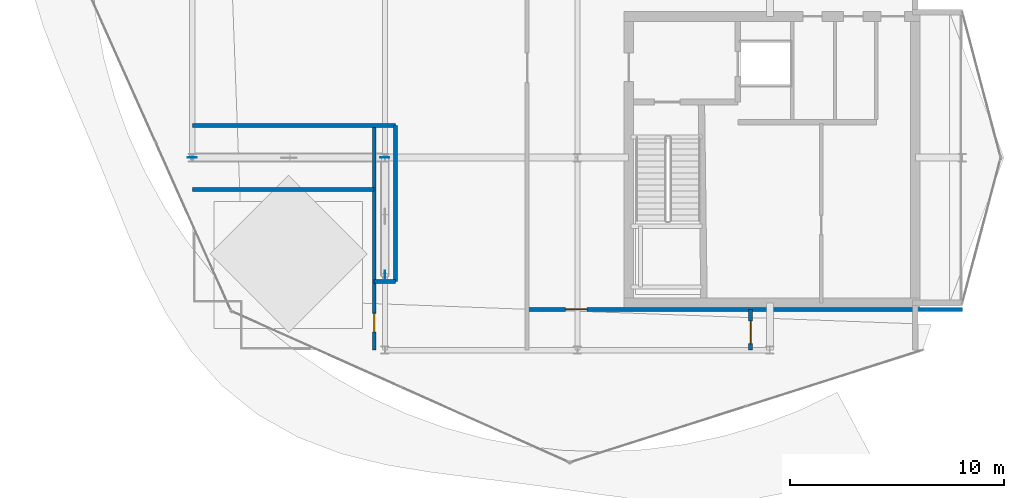
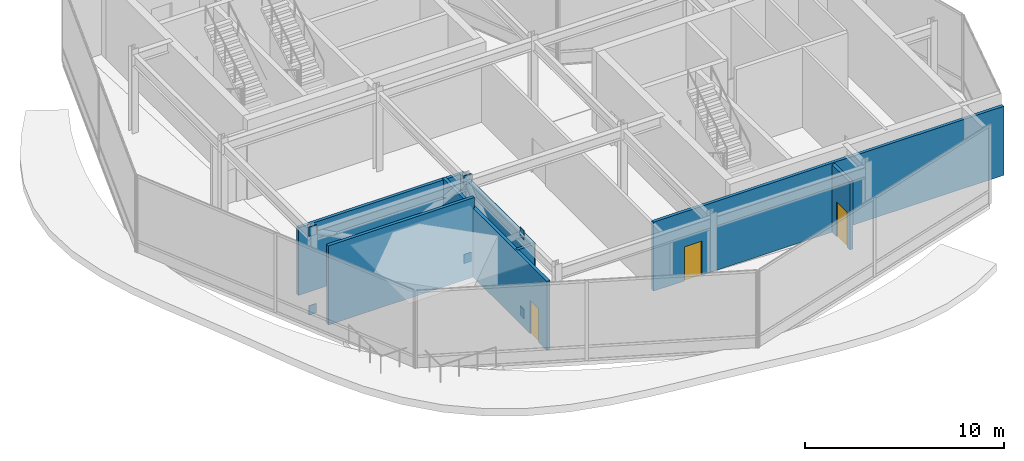
# One storey, part 16 of 21: 7 walls, 6 plates, 3 doors, 3 openings.
"""IFC4 building model written with IfcOpenShell, lengths in metres."""

import ifcopenshell
import ifcopenshell.guid

model = None  # the IFC model being written
_history = None  # IfcOwnerHistory: only IFC2X3 demands one
_inside = {}  # id of a spatial element -> (the spatial element, [elements in it])
_under = {}  # id of a project, library or spatial element -> (it, [spatial elements below it])
_declared = {}  # id of a project -> (the project, [libraries it declares])
_typed = {}  # id of a type object -> (the type object, [elements of that type])
_made_of = {}  # id of a material, layer set ... -> (it, [elements and type objects made of it])


def new_model(schema):
    """Start an empty IFC model of exactly this schema.

    Asked for "IFC4X3", IfcOpenShell would pick the latest addendum, in which some entities
    have other attributes; the version numbers below select the first issue.
    IFC2X3 requires an IfcOwnerHistory on every rooted entity: one is made here for all.
    """
    global model, _history
    if schema == "IFC4X3":
        model = ifcopenshell.file(schema_version=(4, 3, 0, 0))
    else:
        model = ifcopenshell.file(schema=schema)
    _inside.clear()
    _under.clear()
    _declared.clear()
    _typed.clear()
    _made_of.clear()
    _history = None
    if model.schema == "IFC2X3":
        org = make("IfcOrganization", Name="unknown")
        user = make(
            "IfcPersonAndOrganization",
            ThePerson=make("IfcPerson", FamilyName="unknown"),
            TheOrganization=org,
        )
        app = make(
            "IfcApplication",
            ApplicationDeveloper=org,
            Version="unknown",
            ApplicationFullName="unknown",
            ApplicationIdentifier="unknown",
        )
        _history = make(
            "IfcOwnerHistory",
            OwningUser=user,
            OwningApplication=app,
            ChangeAction="ADDED",
            CreationDate=0,
        )
    return model


def make(cls, **values):
    """One entity of the class cls with the attributes given. An attribute that is None is left unset."""
    return model.create_entity(
        cls, **{name: value for name, value in values.items() if value is not None}
    )


def rooted(cls, **values):
    """An entity with a GlobalId (a new one), such as an element, a storey or a relation."""
    return make(cls, GlobalId=ifcopenshell.guid.new(), OwnerHistory=_history, **values)


def si_unit(unit_type, name, prefix=None):
    """IfcSIUnit, for example si_unit("LENGTHUNIT", "METRE", prefix="MILLI")."""
    return make("IfcSIUnit", UnitType=unit_type, Prefix=prefix, Name=name)


def assignment(units):
    """IfcUnitAssignment: the units of a project."""
    return None if units is None else make("IfcUnitAssignment", Units=units)


def point(xyz):
    """IfcCartesianPoint."""
    return None if xyz is None else make("IfcCartesianPoint", Coordinates=xyz)


def direction(xyz):
    """IfcDirection."""
    return None if xyz is None else make("IfcDirection", DirectionRatios=xyz)


def frame(location, z_axis=None, x_axis=None):
    """IfcAxis2Placement3D, a coordinate frame: its origin and axes. An axis left out is left unset."""
    return make(
        "IfcAxis2Placement3D",
        Location=point(location),
        Axis=direction(z_axis),
        RefDirection=direction(x_axis),
    )


def frame_2d(location, x_axis=None):
    """IfcAxis2Placement2D, a coordinate frame in the plane: its origin and x axis."""
    return make(
        "IfcAxis2Placement2D", Location=point(location), RefDirection=direction(x_axis)
    )


def origin():
    """The frame at (0, 0, 0) with its axes left unset."""
    return frame((0.0, 0.0, 0.0))


def origin_2d():
    """The frame at (0, 0) in the plane with its x axis left unset."""
    return frame_2d((0.0, 0.0))


def place(relative_to, where):
    """IfcLocalPlacement: puts the frame where relative to a parent placement (None: the world)."""
    return make(
        "IfcLocalPlacement", PlacementRelTo=relative_to, RelativePlacement=where
    )


def context(
    kind, dimensions, precision=None, world=None, true_north=None, identifier=None
):
    """IfcGeometricRepresentationContext, for example the 3D "Model" context."""
    return make(
        "IfcGeometricRepresentationContext",
        ContextIdentifier=identifier,
        ContextType=kind,
        CoordinateSpaceDimension=dimensions,
        Precision=precision,
        WorldCoordinateSystem=world,
        TrueNorth=true_north,
    )


def subcontext(parent, identifier, kind, view, scale=None):
    """IfcGeometricRepresentationSubContext, for example "Body" below "Model"."""
    return make(
        "IfcGeometricRepresentationSubContext",
        ContextIdentifier=identifier,
        ContextType=kind,
        ParentContext=parent,
        TargetScale=scale,
        TargetView=view,
    )


def project(units=None, contexts=None):
    """IfcProject with its units and contexts."""
    return rooted(
        "IfcProject",
        Name="project",
        RepresentationContexts=contexts,
        UnitsInContext=assignment(units),
    )


def spatial(cls, under=None, at=None, **own):
    """A site, building, storey or space (cls), placed at a placement, below another one or the project."""
    s = rooted(cls, ObjectPlacement=at, **own)
    if under is not None:
        _under.setdefault(under.id(), (under, []))[1].append(s)
    return s


def profile(cls, at=None, kind="AREA", **sizes):
    """A parametric profile (cls). Its sizes go by their IFC names, for example OverallWidth=200.0."""
    return make(cls, ProfileType=kind, Position=at, **sizes)


def rectangle(**sizes):
    """IfcRectangleProfileDef."""
    return profile("IfcRectangleProfileDef", **sizes)


def extrude(swept, where, along, depth):
    """IfcExtrudedAreaSolid: the profile swept, set in the frame where, extruded along a direction by depth."""
    return make(
        "IfcExtrudedAreaSolid",
        SweptArea=swept,
        Position=where,
        ExtrudedDirection=direction(along),
        Depth=depth,
    )


def shape(context_of_items, identifier, shape_type, items):
    """IfcShapeRepresentation: the items that make up one representation, for example the "Body"."""
    return make(
        "IfcShapeRepresentation",
        ContextOfItems=context_of_items,
        RepresentationIdentifier=identifier,
        RepresentationType=shape_type,
        Items=items,
    )


def material(Name=None, Category=None):
    """IfcMaterial."""
    return make("IfcMaterial", Name=Name, Category=Category)


def layer(
    of_material, thickness, ventilated=None, Name=None, Category=None, Priority=None
):
    """IfcMaterialLayer: one layer of a wall or slab, of a material (None: an air gap)."""
    return make(
        "IfcMaterialLayer",
        Material=of_material,
        LayerThickness=thickness,
        IsVentilated=ventilated,
        Name=Name,
        Category=Category,
        Priority=Priority,
    )


def layer_set(layers, Name=None):
    """IfcMaterialLayerSet."""
    return make("IfcMaterialLayerSet", MaterialLayers=layers, LayerSetName=Name)


def made_of(thing, what):
    """Note that an element or type object is made of a material, layer set ...; save() writes the relation."""
    if what is not None:
        _made_of.setdefault(what.id(), (what, []))[1].append(thing)
    return thing


def type_object(cls, material=None, **own):
    """A type object (cls), such as IfcWallType, which elements share."""
    return made_of(rooted(cls, **own), material)


def element(
    cls,
    number,
    at=None,
    inside=None,
    cuts=None,
    type_object=None,
    material=None,
    context=None,
    identifier="Body",
    shape_type=None,
    held_by="IfcProductDefinitionShape",
    body=None,
    shapes=None,
    **own,
):
    """One element of the class cls, such as IfcWall. Its Tag is "e" and its number.

    at: its placement. inside: the storey or other place that contains it. cuts: it is an
    opening in that element (IfcRelVoidsElement). A single representation is given by context,
    identifier, shape_type and body (its items); several are given by shapes. held_by: the class
    of the entity that holds the representations. save() writes the other relations.
    """
    e = rooted(cls, Tag="e%d" % number, ObjectPlacement=at, **own)
    if body is not None:
        shapes = [shape(context, identifier, shape_type, body)]
    if shapes is not None:
        e.Representation = make(held_by, Representations=shapes)
    if inside is not None:
        _inside.setdefault(inside.id(), (inside, []))[1].append(e)
    if cuts is not None:
        rooted(
            "IfcRelVoidsElement", RelatingBuildingElement=cuts, RelatedOpeningElement=e
        )
    if type_object is not None:
        _typed.setdefault(type_object.id(), (type_object, []))[1].append(e)
    return made_of(e, material)


def fill(opening, filler):
    """IfcRelFillsElement: the door or window that sits in an opening."""
    return rooted(
        "IfcRelFillsElement",
        RelatingOpeningElement=opening,
        RelatedBuildingElement=filler,
    )


def aggregate(whole, parts):
    """IfcRelAggregates: a whole, such as a stair, and the parts it consists of."""
    return rooted("IfcRelAggregates", RelatingObject=whole, RelatedObjects=parts)


def save(model, path):
    """Write the relations noted so far, then the file.

    IfcRelAggregates (storeys below a building ...), IfcRelContainedInSpatialStructure (elements
    in a storey), IfcRelDefinesByType, IfcRelAssociatesMaterial and IfcRelDeclares: one each for
    every whole, place, type object, material and project.
    """
    for whole, parts in _under.values():
        aggregate(whole, parts)
    for where, things in _inside.values():
        rooted(
            "IfcRelContainedInSpatialStructure",
            RelatedElements=things,
            RelatingStructure=where,
        )
    for kind, things in _typed.values():
        rooted("IfcRelDefinesByType", RelatedObjects=things, RelatingType=kind)
    for what, things in _made_of.values():
        rooted("IfcRelAssociatesMaterial", RelatedObjects=things, RelatingMaterial=what)
    for by, libraries in _declared.values():
        rooted("IfcRelDeclares", RelatingContext=by, RelatedDefinitions=libraries)
    model.write(path)


model = new_model("IFC4")

# Units and contexts
model_context = context("Model", 3, precision=1e-05, world=origin(), true_north=direction((0.0, 1.0)))
body_context = subcontext(model_context, "Body", "Model", "MODEL_VIEW")
ifc_project = project(units=[si_unit("LENGTHUNIT", "METRE"), si_unit("AREAUNIT", "SQUARE_METRE"), si_unit("VOLUMEUNIT", "CUBIC_METRE"), si_unit("PLANEANGLEUNIT", "RADIAN"), si_unit("MASSUNIT", "GRAM", prefix="KILO")], contexts=[model_context])

# Site, building, storey
site_placement = place(None, origin())
site = spatial("IfcSite", under=ifc_project, at=site_placement, CompositionType="ELEMENT")
building_placement = place(site_placement, origin())
building = spatial("IfcBuilding", under=site, at=building_placement, Name="Solvaryn Broadcast Tower", CompositionType="ELEMENT")
storey_placement = place(building_placement, frame((0.0, 0.0, 297.39990234375)))
storey = spatial("IfcBuildingStorey", under=building, at=storey_placement, Name="L75", CompositionType="ELEMENT", Elevation=297.39990234375)

# Plates
ifc_material_1 = material(Name="Steel ASTM A572 Grade 50", Category="steel")
ifc_layer_1 = layer(ifc_material_1, 0.031982421875)
ifc_layer_set_1 = layer_set([ifc_layer_1], Name="PL-ENDCAP-32")
plate_type = type_object("IfcPlateType", Name="PL-ENDCAP-32", PredefinedType="USERDEFINED", material=ifc_layer_set_1)
for number, where, z_axis, x_axis, name in (
    (1, (9.0, 18.0, -0.27001953125), (0.0, 0.0, 1.0), (1.0, 0.0, 0.0), "L75 TMD Reaction X-Frame EW Continuous Diagonal End Plate A"),
    (2, (18.0, 18.0, 4.56005859375), (0.0, 0.0, 1.0), (1.0, 0.0, 0.0), "L75 TMD Reaction X-Frame EW Continuous Diagonal End Plate B"),
    (3, (18.0, 18.0, -0.27001953125), (0.0, 0.0, 1.0), (1.0, 0.0, 0.0), "L75 TMD Reaction X-Frame EW End Plate 2A"),
    (4, (9.0, 18.0, 4.56005859375), (0.0, 0.0, 1.0), (1.0, 0.0, 0.0), "L75 TMD Reaction X-Frame EW End Plate 2B"),
):
    element("IfcPlate", number, at=place(storey_placement, frame(where, z_axis=z_axis, x_axis=x_axis)), inside=storey, type_object=plate_type, Name=name, ObjectType="FLANGE_PLATE", PredefinedType="USERDEFINED", context=body_context, shape_type="SweptSolid", body=[
        extrude(rectangle(XDim=0.419921875, YDim=0.031982421875, at=origin_2d()), origin(), (0.0, 0.0, 1.0), 0.580078125),
    ])
for number, where, z_axis, x_axis, name in (
    (5, (18.0, 12.5, -0.27001953125), (0.0, 0.0, 1.0), (1.0, 0.0, 0.0), "L75 TMD Reaction X-Frame NS Continuous Diagonal End Plate A"),
    (6, (18.0, 12.5, 4.56005859375), (0.0, 0.0, 1.0), (1.0, 0.0, 0.0), "L75 TMD Reaction X-Frame NS End Plate 2B"),
):
    element("IfcPlate", number, at=place(storey_placement, frame(where, z_axis=z_axis, x_axis=x_axis)), inside=storey, type_object=plate_type, Name=name, ObjectType="FLANGE_PLATE", PredefinedType="USERDEFINED", context=body_context, shape_type="SweptSolid", body=[
        extrude(rectangle(XDim=0.031982421875, YDim=0.419921875, at=origin_2d()), origin(), (0.0, 0.0, 1.0), 0.580078125),
    ])

# Wall, opening, door
ifc_material_2 = material(Name="Acoustic Metal-Stud Gypsum Partition")
ifc_layer_2 = layer(ifc_material_2, 0.179931640625)
ifc_layer_set_2 = layer_set([ifc_layer_2], Name="IW-PART-180")
wall_type = type_object("IfcWallType", Name="IW-PART-180", PredefinedType="PARTITIONING", material=ifc_layer_set_2)
wall_1_placement = place(storey_placement, frame((17.5, 9.0, 0.0), z_axis=(0.0, 0.0, 1.0), x_axis=(0.0, 1.0, 0.0)))
wall_1 = element("IfcWall", 7, at=wall_1_placement, inside=storey, type_object=wall_type, Name="L75 Interior Partition IW-L75-TW1A", PredefinedType="PARTITIONING", context=body_context, shape_type="SweptSolid", body=[
    extrude(rectangle(XDim=10.5, YDim=0.179931640625, at=frame_2d((5.25, 0.0))), origin(), (0.0, 0.0, 1.0), 4.239013671875),
])
opening_1_placement = place(wall_1_placement, frame((0.85009765625, 0.0, 0.0)))
opening_1 = element("IfcOpeningElement", 8, at=opening_1_placement, cuts=wall_1, Name="Opening ID07", PredefinedType="OPENING", context=body_context, shape_type="SweptSolid", body=[
    extrude(rectangle(XDim=0.860107421875, YDim=2.050048828125, at=frame_2d((0.43017578125, 1.02490234375))), frame((0.0, 0.099853515625, 0.0), z_axis=(0.0, -1.0, 0.0), x_axis=(1.0, 0.0, 0.0)), (0.0, 0.0, 1.0), 0.199951171875),
])
ifc_material_3 = material(Name="Flush Acoustic Steel and Timber Door Assembly", Category="steel")
door_type_1 = type_object("IfcDoorType", Name="ID-07-860X2050", OperationType="NOTDEFINED", PredefinedType="DOOR", material=ifc_material_3)
door_1_placement = place(opening_1_placement, origin())
door_1 = element("IfcDoor", 9, at=door_1_placement, inside=storey, type_object=door_type_1, Name="L75 Door DR-L75-TD1S", OperationType="SINGLE_SWING_LEFT", OverallHeight=2.050048828125, OverallWidth=0.860107421875, PredefinedType="DOOR", context=body_context, shape_type="SweptSolid", body=[
    extrude(rectangle(XDim=0.860107421875, YDim=2.050048828125, at=frame_2d((0.43017578125, 1.02490234375))), frame((0.0, 0.02490234375, 0.0), z_axis=(0.0, -1.0, 0.0), x_axis=(1.0, 0.0, 0.0)), (0.0, 0.0, 1.0), 0.050048828125),
])
fill(opening_1, door_1)

# Walls
wall_2_placement = place(storey_placement, frame((18.5, 12.199951171875, 0.0), z_axis=(0.0, 0.0, 1.0), x_axis=(0.0, 1.0, 0.0)))
element("IfcWall", 10, at=wall_2_placement, inside=storey, type_object=wall_type, Name="L75 Interior Partition IW-L75-TW1B", PredefinedType="PARTITIONING", context=body_context, shape_type="SweptSolid", body=[
    extrude(rectangle(XDim=7.300048828125, YDim=0.179931640625, at=frame_2d((3.64990234375, 0.0))), origin(), (0.0, 0.0, 1.0), 4.239013671875),
])
wall_3_placement = place(storey_placement, frame((17.5, 12.199951171875, 0.0), z_axis=(0.0, 0.0, 1.0), x_axis=(1.0, 0.0, 0.0)))
element("IfcWall", 11, at=wall_3_placement, inside=storey, type_object=wall_type, Name="L75 Interior Partition IW-L75-TW1S", PredefinedType="PARTITIONING", context=body_context, shape_type="SweptSolid", body=[
    extrude(rectangle(XDim=1.0, YDim=0.179931640625, at=frame_2d((0.5, 0.0))), origin(), (0.0, 0.0, 1.0), 4.2421875),
])
wall_4_placement = place(storey_placement, frame((9.0, 16.5, 0.0), z_axis=(0.0, 0.0, 1.0), x_axis=(1.0, 0.0, 0.0)))
element("IfcWall", 12, at=wall_4_placement, inside=storey, type_object=wall_type, Name="L75 Interior Partition IW-L75-TW1C", PredefinedType="PARTITIONING", context=body_context, shape_type="SweptSolid", body=[
    extrude(rectangle(XDim=8.5, YDim=0.179931640625, at=frame_2d((4.25, 0.0))), origin(), (0.0, 0.0, 1.0), 4.8701171875),
])
wall_5_placement = place(storey_placement, frame((9.0, 19.5, 0.0), z_axis=(0.0, 0.0, 1.0), x_axis=(1.0, 0.0, 0.0)))
element("IfcWall", 13, at=wall_5_placement, inside=storey, type_object=wall_type, Name="L75 Interior Partition IW-L75-TW1D", PredefinedType="PARTITIONING", context=body_context, shape_type="SweptSolid", body=[
    extrude(rectangle(XDim=9.5, YDim=0.179931640625, at=frame_2d((4.75, 0.0))), origin(), (0.0, 0.0, 1.0), 4.156982421875),
])

# Wall, opening, door
wall_6_placement = place(storey_placement, frame((24.64990234375, 10.89990234375, 0.0), z_axis=(0.0, 0.0, 1.0), x_axis=(1.0, 0.0, 0.0)))
wall_6 = element("IfcWall", 14, at=wall_6_placement, inside=storey, type_object=wall_type, Name="L75 Interior Partition IW-L75-TW4", PredefinedType="PARTITIONING", context=body_context, shape_type="SweptSolid", body=[
    extrude(rectangle(XDim=20.35009765625, YDim=0.179931640625, at=frame_2d((10.175048828125, 0.0))), origin(), (0.0, 0.0, 1.0), 4.239013671875),
])
opening_2_placement = place(wall_6_placement, frame((1.800048828125, 0.0, 0.0)))
opening_2 = element("IfcOpeningElement", 15, at=opening_2_placement, cuts=wall_6, Name="Opening ID02", PredefinedType="OPENING", context=body_context, shape_type="SweptSolid", body=[
    extrude(rectangle(XDim=1.0, YDim=2.10009765625, at=frame_2d((0.5, 1.050048828125))), frame((0.0, 0.099853515625, 0.0), z_axis=(0.0, -1.0, 0.0), x_axis=(1.0, 0.0, 0.0)), (0.0, 0.0, 1.0), 0.199951171875),
])
ifc_material_4 = material(Name="Flush Acoustic Steel and Timber Door Assembly", Category="steel")
door_type_2 = type_object("IfcDoorType", Name="ID-02-1000X2100", OperationType="NOTDEFINED", PredefinedType="DOOR", material=ifc_material_4)
door_2_placement = place(opening_2_placement, origin())
door_2 = element("IfcDoor", 16, at=door_2_placement, inside=storey, type_object=door_type_2, Name="L75 Door DR-L75-TD3", OperationType="SINGLE_SWING_LEFT", OverallHeight=2.10009765625, OverallWidth=1.0, PredefinedType="DOOR", context=body_context, shape_type="SweptSolid", body=[
    extrude(rectangle(XDim=1.0, YDim=2.10009765625, at=frame_2d((0.5, 1.050048828125))), frame((0.0, 0.02490234375, 0.0), z_axis=(0.0, -1.0, 0.0), x_axis=(1.0, 0.0, 0.0)), (0.0, 0.0, 1.0), 0.050048828125),
])
fill(opening_2, door_2)

wall_7_placement = place(storey_placement, frame((35.10009765625, 9.0, 0.0), z_axis=(0.0, 0.0, 1.0), x_axis=(0.0, 1.0, 0.0)))
wall_7 = element("IfcWall", 17, at=wall_7_placement, inside=storey, type_object=wall_type, Name="L75 Interior Partition IW-L75-TW5", PredefinedType="PARTITIONING", context=body_context, shape_type="SweptSolid", body=[
    extrude(rectangle(XDim=1.89990234375, YDim=0.179931640625, at=frame_2d((0.949951171875, 0.0))), origin(), (0.0, 0.0, 1.0), 4.156982421875),
])
opening_3_placement = place(wall_7_placement, frame((0.300048828125, 0.0, 0.0)))
opening_3 = element("IfcOpeningElement", 18, at=opening_3_placement, cuts=wall_7, Name="Opening ID03", PredefinedType="OPENING", context=body_context, shape_type="SweptSolid", body=[
    extrude(rectangle(XDim=1.050048828125, YDim=2.14990234375, at=frame_2d((0.52490234375, 1.074951171875))), frame((0.0, 0.099853515625, 0.0), z_axis=(0.0, -1.0, 0.0), x_axis=(1.0, 0.0, 0.0)), (0.0, 0.0, 1.0), 0.199951171875),
])
ifc_material_5 = material(Name="Flush Acoustic Steel and Timber Door Assembly", Category="steel")
door_type_3 = type_object("IfcDoorType", Name="ID-03-1050X2150", OperationType="NOTDEFINED", PredefinedType="DOOR", material=ifc_material_5)
door_3_placement = place(opening_3_placement, origin())
door_3 = element("IfcDoor", 19, at=door_3_placement, inside=storey, type_object=door_type_3, Name="L75 Door DR-L75-TD4", OperationType="SINGLE_SWING_RIGHT", OverallHeight=2.14990234375, OverallWidth=1.050048828125, PredefinedType="DOOR", context=body_context, shape_type="SweptSolid", body=[
    extrude(rectangle(XDim=1.050048828125, YDim=2.14990234375, at=frame_2d((0.52490234375, 1.074951171875))), frame((0.0, 0.02490234375, 0.0), z_axis=(0.0, -1.0, 0.0), x_axis=(1.0, 0.0, 0.0)), (0.0, 0.0, 1.0), 0.050048828125),
])
fill(opening_3, door_3)

save(model, "model.ifc")
